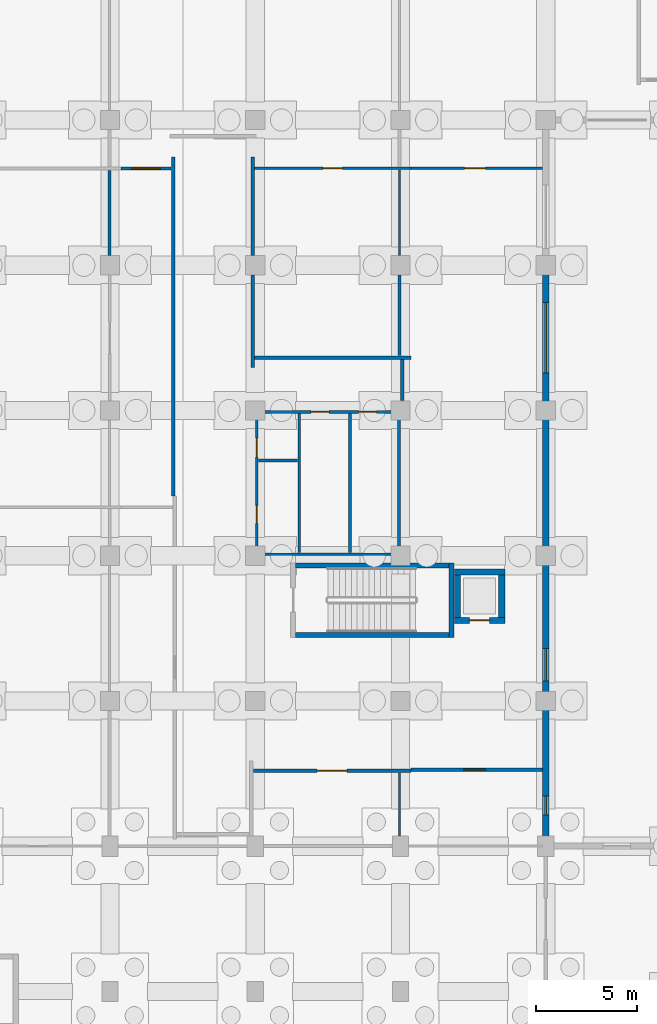
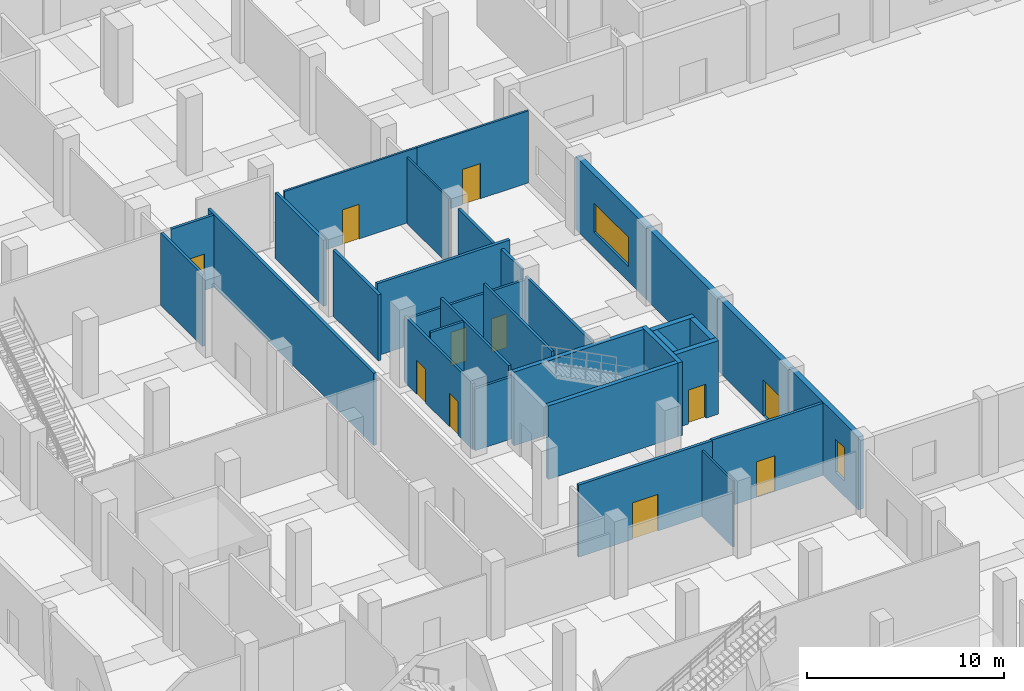
# One storey, part 21 of 48: 32 walls, 11 doors, 2 windows, 13 openings.
"""IFC4 building model written with IfcOpenShell, lengths in metres."""

import ifcopenshell
import ifcopenshell.guid

model = None  # the IFC model being written
_history = None  # IfcOwnerHistory: only IFC2X3 demands one
_inside = {}  # id of a spatial element -> (the spatial element, [elements in it])
_under = {}  # id of a project, library or spatial element -> (it, [spatial elements below it])
_declared = {}  # id of a project -> (the project, [libraries it declares])
_typed = {}  # id of a type object -> (the type object, [elements of that type])
_made_of = {}  # id of a material, layer set ... -> (it, [elements and type objects made of it])


def new_model(schema):
    """Start an empty IFC model of exactly this schema.

    Asked for "IFC4X3", IfcOpenShell would pick the latest addendum, in which some entities
    have other attributes; the version numbers below select the first issue.
    IFC2X3 requires an IfcOwnerHistory on every rooted entity: one is made here for all.
    """
    global model, _history
    if schema == "IFC4X3":
        model = ifcopenshell.file(schema_version=(4, 3, 0, 0))
    else:
        model = ifcopenshell.file(schema=schema)
    _inside.clear()
    _under.clear()
    _declared.clear()
    _typed.clear()
    _made_of.clear()
    _history = None
    if model.schema == "IFC2X3":
        org = make("IfcOrganization", Name="unknown")
        user = make(
            "IfcPersonAndOrganization",
            ThePerson=make("IfcPerson", FamilyName="unknown"),
            TheOrganization=org,
        )
        app = make(
            "IfcApplication",
            ApplicationDeveloper=org,
            Version="unknown",
            ApplicationFullName="unknown",
            ApplicationIdentifier="unknown",
        )
        _history = make(
            "IfcOwnerHistory",
            OwningUser=user,
            OwningApplication=app,
            ChangeAction="ADDED",
            CreationDate=0,
        )
    return model


def make(cls, **values):
    """One entity of the class cls with the attributes given. An attribute that is None is left unset."""
    return model.create_entity(
        cls, **{name: value for name, value in values.items() if value is not None}
    )


def rooted(cls, **values):
    """An entity with a GlobalId (a new one), such as an element, a storey or a relation."""
    return make(cls, GlobalId=ifcopenshell.guid.new(), OwnerHistory=_history, **values)


def si_unit(unit_type, name, prefix=None):
    """IfcSIUnit, for example si_unit("LENGTHUNIT", "METRE", prefix="MILLI")."""
    return make("IfcSIUnit", UnitType=unit_type, Prefix=prefix, Name=name)


def assignment(units):
    """IfcUnitAssignment: the units of a project."""
    return None if units is None else make("IfcUnitAssignment", Units=units)


def point(xyz):
    """IfcCartesianPoint."""
    return None if xyz is None else make("IfcCartesianPoint", Coordinates=xyz)


def direction(xyz):
    """IfcDirection."""
    return None if xyz is None else make("IfcDirection", DirectionRatios=xyz)


def frame(location, z_axis=None, x_axis=None):
    """IfcAxis2Placement3D, a coordinate frame: its origin and axes. An axis left out is left unset."""
    return make(
        "IfcAxis2Placement3D",
        Location=point(location),
        Axis=direction(z_axis),
        RefDirection=direction(x_axis),
    )


def frame_2d(location, x_axis=None):
    """IfcAxis2Placement2D, a coordinate frame in the plane: its origin and x axis."""
    return make(
        "IfcAxis2Placement2D", Location=point(location), RefDirection=direction(x_axis)
    )


def origin():
    """The frame at (0, 0, 0) with its axes left unset."""
    return frame((0.0, 0.0, 0.0))


def place(relative_to, where):
    """IfcLocalPlacement: puts the frame where relative to a parent placement (None: the world)."""
    return make(
        "IfcLocalPlacement", PlacementRelTo=relative_to, RelativePlacement=where
    )


def context(
    kind, dimensions, precision=None, world=None, true_north=None, identifier=None
):
    """IfcGeometricRepresentationContext, for example the 3D "Model" context."""
    return make(
        "IfcGeometricRepresentationContext",
        ContextIdentifier=identifier,
        ContextType=kind,
        CoordinateSpaceDimension=dimensions,
        Precision=precision,
        WorldCoordinateSystem=world,
        TrueNorth=true_north,
    )


def subcontext(parent, identifier, kind, view, scale=None):
    """IfcGeometricRepresentationSubContext, for example "Body" below "Model"."""
    return make(
        "IfcGeometricRepresentationSubContext",
        ContextIdentifier=identifier,
        ContextType=kind,
        ParentContext=parent,
        TargetScale=scale,
        TargetView=view,
    )


def project(units=None, contexts=None):
    """IfcProject with its units and contexts."""
    return rooted(
        "IfcProject",
        Name="project",
        RepresentationContexts=contexts,
        UnitsInContext=assignment(units),
    )


def spatial(cls, under=None, at=None, **own):
    """A site, building, storey or space (cls), placed at a placement, below another one or the project."""
    s = rooted(cls, ObjectPlacement=at, **own)
    if under is not None:
        _under.setdefault(under.id(), (under, []))[1].append(s)
    return s


def profile(cls, at=None, kind="AREA", **sizes):
    """A parametric profile (cls). Its sizes go by their IFC names, for example OverallWidth=200.0."""
    return make(cls, ProfileType=kind, Position=at, **sizes)


def rectangle(**sizes):
    """IfcRectangleProfileDef."""
    return profile("IfcRectangleProfileDef", **sizes)


def extrude(swept, where, along, depth):
    """IfcExtrudedAreaSolid: the profile swept, set in the frame where, extruded along a direction by depth."""
    return make(
        "IfcExtrudedAreaSolid",
        SweptArea=swept,
        Position=where,
        ExtrudedDirection=direction(along),
        Depth=depth,
    )


def shape(context_of_items, identifier, shape_type, items):
    """IfcShapeRepresentation: the items that make up one representation, for example the "Body"."""
    return make(
        "IfcShapeRepresentation",
        ContextOfItems=context_of_items,
        RepresentationIdentifier=identifier,
        RepresentationType=shape_type,
        Items=items,
    )


def material(Name=None, Category=None):
    """IfcMaterial."""
    return make("IfcMaterial", Name=Name, Category=Category)


def layer(
    of_material, thickness, ventilated=None, Name=None, Category=None, Priority=None
):
    """IfcMaterialLayer: one layer of a wall or slab, of a material (None: an air gap)."""
    return make(
        "IfcMaterialLayer",
        Material=of_material,
        LayerThickness=thickness,
        IsVentilated=ventilated,
        Name=Name,
        Category=Category,
        Priority=Priority,
    )


def layer_set(layers, Name=None):
    """IfcMaterialLayerSet."""
    return make("IfcMaterialLayerSet", MaterialLayers=layers, LayerSetName=Name)


def made_of(thing, what):
    """Note that an element or type object is made of a material, layer set ...; save() writes the relation."""
    if what is not None:
        _made_of.setdefault(what.id(), (what, []))[1].append(thing)
    return thing


def type_object(cls, material=None, **own):
    """A type object (cls), such as IfcWallType, which elements share."""
    return made_of(rooted(cls, **own), material)


def element(
    cls,
    number,
    at=None,
    inside=None,
    cuts=None,
    type_object=None,
    material=None,
    context=None,
    identifier="Body",
    shape_type=None,
    held_by="IfcProductDefinitionShape",
    body=None,
    shapes=None,
    **own,
):
    """One element of the class cls, such as IfcWall. Its Tag is "e" and its number.

    at: its placement. inside: the storey or other place that contains it. cuts: it is an
    opening in that element (IfcRelVoidsElement). A single representation is given by context,
    identifier, shape_type and body (its items); several are given by shapes. held_by: the class
    of the entity that holds the representations. save() writes the other relations.
    """
    e = rooted(cls, Tag="e%d" % number, ObjectPlacement=at, **own)
    if body is not None:
        shapes = [shape(context, identifier, shape_type, body)]
    if shapes is not None:
        e.Representation = make(held_by, Representations=shapes)
    if inside is not None:
        _inside.setdefault(inside.id(), (inside, []))[1].append(e)
    if cuts is not None:
        rooted(
            "IfcRelVoidsElement", RelatingBuildingElement=cuts, RelatedOpeningElement=e
        )
    if type_object is not None:
        _typed.setdefault(type_object.id(), (type_object, []))[1].append(e)
    return made_of(e, material)


def fill(opening, filler):
    """IfcRelFillsElement: the door or window that sits in an opening."""
    return rooted(
        "IfcRelFillsElement",
        RelatingOpeningElement=opening,
        RelatedBuildingElement=filler,
    )


def aggregate(whole, parts):
    """IfcRelAggregates: a whole, such as a stair, and the parts it consists of."""
    return rooted("IfcRelAggregates", RelatingObject=whole, RelatedObjects=parts)


def save(model, path):
    """Write the relations noted so far, then the file.

    IfcRelAggregates (storeys below a building ...), IfcRelContainedInSpatialStructure (elements
    in a storey), IfcRelDefinesByType, IfcRelAssociatesMaterial and IfcRelDeclares: one each for
    every whole, place, type object, material and project.
    """
    for whole, parts in _under.values():
        aggregate(whole, parts)
    for where, things in _inside.values():
        rooted(
            "IfcRelContainedInSpatialStructure",
            RelatedElements=things,
            RelatingStructure=where,
        )
    for kind, things in _typed.values():
        rooted("IfcRelDefinesByType", RelatedObjects=things, RelatingType=kind)
    for what, things in _made_of.values():
        rooted("IfcRelAssociatesMaterial", RelatedObjects=things, RelatingMaterial=what)
    for by, libraries in _declared.values():
        rooted("IfcRelDeclares", RelatingContext=by, RelatedDefinitions=libraries)
    model.write(path)


model = new_model("IFC4")

# Units and contexts
model_context = context("Model", 3, precision=1e-05, world=origin(), true_north=direction((0.0, 1.0)))
body_context = subcontext(model_context, "Body", "Model", "MODEL_VIEW")
ifc_project = project(units=[si_unit("LENGTHUNIT", "METRE"), si_unit("AREAUNIT", "SQUARE_METRE"), si_unit("VOLUMEUNIT", "CUBIC_METRE"), si_unit("PLANEANGLEUNIT", "RADIAN"), si_unit("MASSUNIT", "GRAM", prefix="KILO")], contexts=[model_context])

# Site, building, storey
site_placement = place(None, origin())
site = spatial("IfcSite", under=ifc_project, at=site_placement, CompositionType="ELEMENT")
building_placement = place(site_placement, origin())
building = spatial("IfcBuilding", under=site, at=building_placement, Name="Seraya Terrace Polytechnic", CompositionType="ELEMENT")
storey_placement = place(building_placement, origin())
storey = spatial("IfcBuildingStorey", under=building, at=storey_placement, Name="L00", CompositionType="ELEMENT", Elevation=0.0)

# Wall, opening, window
ifc_material_1 = material(Name="Concrete C40/50", Category="concrete")
ifc_layer_1 = layer(ifc_material_1, 0.300048828125, Name="EW-01")
ifc_layer_set_1 = layer_set([ifc_layer_1], Name="Concrete C40/50")
wall_type_1 = type_object("IfcWallType", Name="EW-01", PredefinedType="SOLIDWALL", material=ifc_layer_set_1)
wall_1_placement = place(storey_placement, frame((43.199951171875, 57.60009765625, 0.0), z_axis=(0.0, 0.0, 1.0), x_axis=(0.0, -1.0, 0.0)))
wall_1 = element("IfcWall", 1, at=wall_1_placement, inside=storey, type_object=wall_type_1, Name="Exterior structural wall EW-01 L00", PredefinedType="SOLIDWALL", context=body_context, shape_type="SweptSolid", body=[
    extrude(rectangle(XDim=7.2001953125, YDim=0.300048828125, at=frame_2d((3.60009765625, 0.0))), origin(), (0.0, 0.0, 1.0), 4.52001953125),
])
opening_1_placement = place(wall_1_placement, frame((1.85009765625, 0.0, 0.949951171875)))
opening_1 = element("IfcOpeningElement", 2, at=opening_1_placement, cuts=wall_1, Name="Opening WN-35", PredefinedType="OPENING", context=body_context, shape_type="SweptSolid", body=[
    extrude(rectangle(XDim=3.5, YDim=1.800048828125, at=frame_2d((1.75, 0.89990234375))), frame((0.0, 0.162109375, 0.0), z_axis=(0.0, -1.0, 0.0), x_axis=(1.0, 0.0, 0.0)), (0.0, 0.0, 1.0), 0.323974609375),
])
ifc_material_2 = material(Name="Laminated solar-control Low-E double glazing", Category="glass")
window_type_1 = type_object("IfcWindowType", Name="WN-35", PartitioningType="SINGLE_PANEL", PredefinedType="WINDOW", material=ifc_material_2)
window_1_placement = place(opening_1_placement, origin())
window_1 = element("IfcWindow", 3, at=window_1_placement, inside=storey, type_object=window_type_1, Name="Exterior window WN-35 L00", OverallHeight=1.800048828125, OverallWidth=3.5, PartitioningType="SINGLE_PANEL", PredefinedType="WINDOW", context=body_context, shape_type="SweptSolid", body=[
    extrude(rectangle(XDim=3.5, YDim=1.800048828125, at=frame_2d((1.75, 0.89990234375))), frame((0.0, 0.030029296875, 0.0), z_axis=(0.0, -1.0, 0.0), x_axis=(1.0, 0.0, 0.0)), (0.0, 0.0, 1.0), 0.06005859375),
])
fill(opening_1, window_1)

# Wall
wall_2_placement = place(storey_placement, frame((43.199951171875, 50.39990234375, 0.0), z_axis=(0.0, 0.0, 1.0), x_axis=(0.0, -1.0, 0.0)))
element("IfcWall", 4, at=wall_2_placement, inside=storey, type_object=wall_type_1, Name="Exterior structural wall EW-01 L00", PredefinedType="SOLIDWALL", context=body_context, shape_type="SweptSolid", body=[
    extrude(rectangle(XDim=7.199951171875, YDim=0.300048828125, at=frame_2d((3.60009765625, 0.0))), origin(), (0.0, 0.0, 1.0), 4.52001953125),
])

# Wall, opening, door
wall_3_placement = place(storey_placement, frame((43.199951171875, 43.199951171875, 0.0), z_axis=(0.0, 0.0, 1.0), x_axis=(0.0, -1.0, 0.0)))
wall_3 = element("IfcWall", 5, at=wall_3_placement, inside=storey, type_object=wall_type_1, Name="Exterior structural wall EW-01 L00", PredefinedType="SOLIDWALL", context=body_context, shape_type="SweptSolid", body=[
    extrude(rectangle(XDim=7.199951171875, YDim=0.300048828125, at=frame_2d((3.60009765625, 0.0))), origin(), (0.0, 0.0, 1.0), 4.52001953125),
])
opening_2_placement = place(wall_3_placement, frame((4.60009765625, 0.0, 0.0)))
opening_2 = element("IfcOpeningElement", 6, at=opening_2_placement, cuts=wall_3, Name="Opening ED-03", PredefinedType="OPENING", context=body_context, shape_type="SweptSolid", body=[
    extrude(rectangle(XDim=1.60009765625, YDim=2.199951171875, at=frame_2d((0.800048828125, 1.10009765625))), frame((0.0, 0.162109375, 0.0), z_axis=(0.0, -1.0, 0.0), x_axis=(1.0, 0.0, 0.0)), (0.0, 0.0, 1.0), 0.323974609375),
])
ifc_material_3 = material(Name="Anodised aluminium EN AW-6063 T6", Category="aluminium")
door_type_1 = type_object("IfcDoorType", Name="ED-03", OperationType="DOUBLE_DOOR_SINGLE_SWING", PredefinedType="DOOR", material=ifc_material_3)
door_1_placement = place(opening_2_placement, origin())
door_1 = element("IfcDoor", 7, at=door_1_placement, inside=storey, type_object=door_type_1, Name="Door ED-03 DR-STEXIT-ST-04 in WL-EXT-L00-10-03", OperationType="DOUBLE_DOOR_SINGLE_SWING", OverallHeight=2.199951171875, OverallWidth=1.60009765625, PredefinedType="DOOR", context=body_context, shape_type="SweptSolid", body=[
    extrude(rectangle(XDim=1.60009765625, YDim=2.199951171875, at=frame_2d((0.800048828125, 1.10009765625))), frame((0.0, 0.02490234375, 0.0), z_axis=(0.0, -1.0, 0.0), x_axis=(1.0, 0.0, 0.0)), (0.0, 0.0, 1.0), 0.050048828125),
])
fill(opening_2, door_1)

# Wall, opening, window
wall_4_placement = place(storey_placement, frame((43.199951171875, 36.0, 0.0), z_axis=(0.0, 0.0, 1.0), x_axis=(0.0, -1.0, 0.0)))
wall_4 = element("IfcWall", 8, at=wall_4_placement, inside=storey, type_object=wall_type_1, Name="Exterior structural wall EW-01 L00", PredefinedType="SOLIDWALL", context=body_context, shape_type="SweptSolid", body=[
    extrude(rectangle(XDim=7.033935546875, YDim=0.300048828125, at=frame_2d((3.51708984375, 0.0))), origin(), (0.0, 0.0, 1.0), 4.52001953125),
])
opening_3_placement = place(wall_4_placement, frame((4.701904296875, 0.0, 0.949951171875)))
opening_3 = element("IfcOpeningElement", 9, at=opening_3_placement, cuts=wall_4, Name="Opening WN-37", PredefinedType="OPENING", context=body_context, shape_type="SweptSolid", body=[
    extrude(rectangle(XDim=0.949951171875, YDim=2.050048828125, at=frame_2d((0.47509765625, 1.02490234375))), frame((0.0, 0.162109375, 0.0), z_axis=(0.0, -1.0, 0.0), x_axis=(1.0, 0.0, 0.0)), (0.0, 0.0, 1.0), 0.323974609375),
])
window_type_2 = type_object("IfcWindowType", Name="WN-37", PartitioningType="SINGLE_PANEL", PredefinedType="WINDOW", material=ifc_material_2)
window_2_placement = place(opening_3_placement, origin())
window_2 = element("IfcWindow", 10, at=window_2_placement, inside=storey, type_object=window_type_2, Name="Exterior window WN-37 L00", OverallHeight=2.050048828125, OverallWidth=0.949951171875, PartitioningType="SINGLE_PANEL", PredefinedType="WINDOW", context=body_context, shape_type="SweptSolid", body=[
    extrude(rectangle(XDim=0.949951171875, YDim=2.050048828125, at=frame_2d((0.47509765625, 1.02490234375))), frame((0.0, 0.030029296875, 0.0), z_axis=(0.0, -1.0, 0.0), x_axis=(1.0, 0.0, 0.0)), (0.0, 0.0, 1.0), 0.06005859375),
])
fill(opening_3, window_2)

# Walls
ifc_material_4 = material(Name="Autoclaved aerated concrete blockwork", Category="masonry")
ifc_layer_2 = layer(ifc_material_4, 0.169921875, Name="PT-02")
ifc_layer_set_2 = layer_set([ifc_layer_2], Name="Autoclaved aerated concrete blockwork")
wall_type_2 = type_object("IfcWallType", Name="PT-02", PredefinedType="PARTITIONING", material=ifc_layer_set_2)
wall_5_placement = place(storey_placement, frame((24.72998046875, 46.17138671875, 0.0), z_axis=(0.0, 0.0, 1.0), x_axis=(0.0, 1.0, 0.0)))
element("IfcWall", 11, at=wall_5_placement, inside=storey, type_object=wall_type_2, Name="Internal partition PT-02 L00", PredefinedType="PARTITIONING", context=body_context, shape_type="SweptSolid", body=[
    extrude(rectangle(XDim=16.78857421875, YDim=0.169921875, at=frame_2d((8.394287109375, 0.0))), origin(), (0.0, 0.0, 1.0), 4.4599609375),
])
wall_6_placement = place(storey_placement, frame((28.669921875, 58.0849609375, 0.0), z_axis=(0.0, 0.0, 1.0), x_axis=(0.0, 1.0, 0.0)))
element("IfcWall", 12, at=wall_6_placement, inside=storey, type_object=wall_type_2, Name="Internal partition PT-02 L00", PredefinedType="PARTITIONING", context=body_context, shape_type="SweptSolid", body=[
    extrude(rectangle(XDim=4.875, YDim=0.169921875, at=frame_2d((2.4375, 0.0))), origin(), (0.0, 0.0, 1.0), 4.080078125),
])
wall_7_placement = place(storey_placement, frame((28.669921875, 52.530029296875, 0.0), z_axis=(0.0, 0.0, 1.0), x_axis=(0.0, 1.0, 0.0)))
element("IfcWall", 13, at=wall_7_placement, inside=storey, type_object=wall_type_2, Name="Internal partition PT-02 L00", PredefinedType="PARTITIONING", context=body_context, shape_type="SweptSolid", body=[
    extrude(rectangle(XDim=4.5849609375, YDim=0.169921875, at=frame_2d((2.29248046875, 0.0))), origin(), (0.0, 0.0, 1.0), 4.080078125),
])

# Wall, opening, door
wall_8_placement = place(storey_placement, frame((28.699951171875, 32.530029296875, 0.0), z_axis=(0.0, 0.0, 1.0), x_axis=(1.0, 0.0, 0.0)))
wall_8 = element("IfcWall", 14, at=wall_8_placement, inside=storey, type_object=wall_type_2, Name="Internal partition PT-02 L00", PredefinedType="PARTITIONING", context=body_context, shape_type="SweptSolid", body=[
    extrude(rectangle(XDim=7.820068359375, YDim=0.169921875, at=frame_2d((3.91015625, 0.0))), origin(), (0.0, 0.0, 1.0), 4.4599609375),
])
opening_4_placement = place(wall_8_placement, frame((3.169921875, 0.0, 0.0)))
opening_4 = element("IfcOpeningElement", 15, at=opening_4_placement, cuts=wall_8, Name="Opening ID-11", PredefinedType="OPENING", context=body_context, shape_type="SweptSolid", body=[
    extrude(rectangle(XDim=1.47998046875, YDim=2.260009765625, at=frame_2d((0.739990234375, 1.1298828125))), frame((0.0, 0.096923828125, 0.0), z_axis=(0.0, -1.0, 0.0), x_axis=(1.0, 0.0, 0.0)), (0.0, 0.0, 1.0), 0.19384765625),
])
ifc_material_5 = material(Name="Malaysian dark red meranti hardwood timber D40", Category="wood")
door_type_2 = type_object("IfcDoorType", Name="ID-11", OperationType="DOUBLE_DOOR_SINGLE_SWING", PredefinedType="DOOR", material=ifc_material_5)
door_2_placement = place(opening_4_placement, origin())
door_2 = element("IfcDoor", 16, at=door_2_placement, inside=storey, type_object=door_type_2, Name="Door ID-11 DR-INT-L00-0024 in WL-INT-L00-0089", OperationType="DOUBLE_DOOR_SINGLE_SWING", OverallHeight=2.260009765625, OverallWidth=1.47998046875, PredefinedType="DOOR", context=body_context, shape_type="SweptSolid", body=[
    extrude(rectangle(XDim=1.47998046875, YDim=2.260009765625, at=frame_2d((0.739990234375, 1.1298828125))), frame((0.0, 0.02490234375, 0.0), z_axis=(0.0, -1.0, 0.0), x_axis=(1.0, 0.0, 0.0)), (0.0, 0.0, 1.0), 0.050048828125),
])
fill(opening_4, door_2)

wall_9_placement = place(storey_placement, frame((36.52001953125, 32.60009765625, 0.0), z_axis=(0.0, 0.0, 1.0), x_axis=(1.0, 0.0, 0.0)))
wall_9 = element("IfcWall", 17, at=wall_9_placement, inside=storey, type_object=wall_type_2, Name="Internal partition PT-02 L00", PredefinedType="PARTITIONING", context=body_context, shape_type="SweptSolid", body=[
    extrude(rectangle(XDim=6.51806640625, YDim=0.169921875, at=frame_2d((3.259033203125, 0.0))), origin(), (0.0, 0.0, 1.0), 4.4599609375),
])
opening_5_placement = place(wall_9_placement, frame((2.6201171875, 0.0, 0.0)))
opening_5 = element("IfcOpeningElement", 18, at=opening_5_placement, cuts=wall_9, Name="Opening ID-05", PredefinedType="OPENING", context=body_context, shape_type="SweptSolid", body=[
    extrude(rectangle(XDim=1.080078125, YDim=2.199951171875, at=frame_2d((0.5400390625, 1.10009765625))), frame((0.0, 0.096923828125, 0.0), z_axis=(0.0, -1.0, 0.0), x_axis=(1.0, 0.0, 0.0)), (0.0, 0.0, 1.0), 0.19384765625),
])
door_type_3 = type_object("IfcDoorType", Name="ID-05", OperationType="NOTDEFINED", PredefinedType="DOOR", material=ifc_material_5)
door_3_placement = place(opening_5_placement, origin())
door_3 = element("IfcDoor", 19, at=door_3_placement, inside=storey, type_object=door_type_3, Name="Door ID-05 DR-INT-L00-0034 in WL-INT-L00-0090", OperationType="SINGLE_SWING_LEFT", OverallHeight=2.199951171875, OverallWidth=1.080078125, PredefinedType="DOOR", context=body_context, shape_type="SweptSolid", body=[
    extrude(rectangle(XDim=1.080078125, YDim=2.199951171875, at=frame_2d((0.5400390625, 1.10009765625))), frame((0.0, 0.02490234375, 0.0), z_axis=(0.0, -1.0, 0.0), x_axis=(1.0, 0.0, 0.0)), (0.0, 0.0, 1.0), 0.050048828125),
])
fill(opening_5, door_3)

# Walls
wall_10_placement = place(storey_placement, frame((28.77001953125, 53.02001953125, 0.0), z_axis=(0.0, 0.0, 1.0), x_axis=(1.0, 0.0, 0.0)))
element("IfcWall", 20, at=wall_10_placement, inside=storey, type_object=wall_type_2, Name="Internal partition PT-02 L00", PredefinedType="PARTITIONING", context=body_context, shape_type="SweptSolid", body=[
    extrude(rectangle(XDim=7.75, YDim=0.169921875, at=frame_2d((3.875, 0.0))), origin(), (0.0, 0.0, 1.0), 4.4599609375),
])
wall_11_placement = place(storey_placement, frame((36.080078125, 50.885009765625, 0.0), z_axis=(0.0, 0.0, 1.0), x_axis=(0.0, 1.0, 0.0)))
element("IfcWall", 21, at=wall_11_placement, inside=storey, type_object=wall_type_2, Name="Internal partition PT-02 L00", PredefinedType="PARTITIONING", context=body_context, shape_type="SweptSolid", body=[
    extrude(rectangle(XDim=2.034912109375, YDim=0.169921875, at=frame_2d((1.017578125, 0.0))), origin(), (0.0, 0.0, 1.0), 4.080078125),
])
ifc_layer_3 = layer(ifc_material_4, 0.14990234375, Name="PT-03")
ifc_layer_set_3 = layer_set([ifc_layer_3], Name="Autoclaved aerated concrete blockwork")
wall_type_3 = type_object("IfcWallType", Name="PT-03", PredefinedType="PARTITIONING", material=ifc_layer_set_3)
wall_12_placement = place(storey_placement, frame((21.580078125, 58.0849609375, 0.0), z_axis=(0.0, 0.0, 1.0), x_axis=(0.0, 1.0, 0.0)))
element("IfcWall", 22, at=wall_12_placement, inside=storey, type_object=wall_type_3, Name="Internal partition PT-03 L00", PredefinedType="PARTITIONING", context=body_context, shape_type="SweptSolid", body=[
    extrude(rectangle(XDim=4.22509765625, YDim=0.14990234375, at=frame_2d((2.112548828125, 0.0))), origin(), (0.0, 0.0, 1.0), 4.4599609375),
])

# Wall, opening, door
wall_13_placement = place(storey_placement, frame((22.139892578125, 62.39990234375, 0.0), z_axis=(0.0, 0.0, 1.0), x_axis=(1.0, 0.0, 0.0)))
wall_13 = element("IfcWall", 23, at=wall_13_placement, inside=storey, type_object=wall_type_3, Name="Internal partition PT-03 L00", PredefinedType="PARTITIONING", context=body_context, shape_type="SweptSolid", body=[
    extrude(rectangle(XDim=2.489990234375, YDim=0.14990234375, at=frame_2d((1.2451171875, 0.0))), origin(), (0.0, 0.0, 1.0), 4.4599609375),
])
opening_6_placement = place(wall_13_placement, frame((0.534912109375, 0.0, 0.0)))
opening_6 = element("IfcOpeningElement", 24, at=opening_6_placement, cuts=wall_13, Name="Opening ID-10", PredefinedType="OPENING", context=body_context, shape_type="SweptSolid", body=[
    extrude(rectangle(XDim=1.419921875, YDim=2.239990234375, at=frame_2d((0.7099609375, 1.1201171875))), frame((0.0, 0.0869140625, 0.0), z_axis=(0.0, -1.0, 0.0), x_axis=(1.0, 0.0, 0.0)), (0.0, 0.0, 1.0), 0.173828125),
])
door_type_4 = type_object("IfcDoorType", Name="ID-10", OperationType="DOUBLE_DOOR_SINGLE_SWING", PredefinedType="DOOR", material=ifc_material_5)
door_4_placement = place(opening_6_placement, frame((1.419921875, 0.0, 0.0), z_axis=(0.0, 0.0, 1.0), x_axis=(-1.0, 0.0, 0.0)))
door_4 = element("IfcDoor", 25, at=door_4_placement, inside=storey, type_object=door_type_4, Name="Door ID-10 DR-INT-L00-0055 in WL-INT-L00-0196", OperationType="DOUBLE_DOOR_SINGLE_SWING", OverallHeight=2.239990234375, OverallWidth=1.419921875, PredefinedType="DOOR", context=body_context, shape_type="SweptSolid", body=[
    extrude(rectangle(XDim=1.419921875, YDim=2.239990234375, at=frame_2d((0.7099609375, 1.1201171875))), frame((0.0, 0.02490234375, 0.0), z_axis=(0.0, -1.0, 0.0), x_axis=(1.0, 0.0, 0.0)), (0.0, 0.0, 1.0), 0.050048828125),
])
fill(opening_6, door_4)

# Walls
wall_14_placement = place(storey_placement, frame((35.9599609375, 53.1201171875, 0.0), z_axis=(0.0, 0.0, 1.0), x_axis=(0.0, 1.0, 0.0)))
element("IfcWall", 26, at=wall_14_placement, inside=storey, type_object=wall_type_3, Name="Internal partition PT-03 L00", PredefinedType="PARTITIONING", context=body_context, shape_type="SweptSolid", body=[
    extrude(rectangle(XDim=3.994873046875, YDim=0.14990234375, at=frame_2d((1.99755859375, 0.0))), origin(), (0.0, 0.0, 1.0), 4.080078125),
])
ifc_layer_4 = layer(ifc_material_4, 0.139892578125, Name="PT-04")
ifc_layer_set_4 = layer_set([ifc_layer_4], Name="Autoclaved aerated concrete blockwork")
wall_type_4 = type_object("IfcWallType", Name="PT-04", PredefinedType="PARTITIONING", material=ifc_layer_set_4)
wall_15_placement = place(storey_placement, frame((28.8701171875, 43.27001953125, 0.0), z_axis=(0.0, 0.0, 1.0), x_axis=(1.0, 0.0, 0.0)))
element("IfcWall", 27, at=wall_15_placement, inside=storey, type_object=wall_type_4, Name="Sanitary WC-B South wall L00", PredefinedType="PARTITIONING", context=body_context, shape_type="SweptSolid", body=[
    extrude(rectangle(XDim=7.059814453125, YDim=0.139892578125, at=frame_2d((3.52978515625, 0.0))), origin(), (0.0, 0.0, 1.0), 3.830078125),
])

# Wall, openings, doors
wall_16_placement = place(storey_placement, frame((28.8701171875, 50.330078125, 0.0), z_axis=(0.0, 0.0, 1.0), x_axis=(1.0, 0.0, 0.0)))
wall_16 = element("IfcWall", 28, at=wall_16_placement, inside=storey, type_object=wall_type_4, Name="Sanitary WC-B North wall L00", PredefinedType="PARTITIONING", context=body_context, shape_type="SweptSolid", body=[
    extrude(rectangle(XDim=7.059814453125, YDim=0.139892578125, at=frame_2d((3.52978515625, 0.0))), origin(), (0.0, 0.0, 1.0), 3.830078125),
])
opening_7_placement = place(wall_16_placement, frame((2.679931640625, 0.0, 0.0)))
opening_7 = element("IfcOpeningElement", 29, at=opening_7_placement, cuts=wall_16, Name="Opening ID-02", PredefinedType="OPENING", context=body_context, shape_type="SweptSolid", body=[
    extrude(rectangle(XDim=0.89990234375, YDim=2.080078125, at=frame_2d((0.449951171875, 1.0400390625))), frame((0.0, 0.08203125, 0.0), z_axis=(0.0, -1.0, 0.0), x_axis=(1.0, 0.0, 0.0)), (0.0, 0.0, 1.0), 0.163818359375),
])
opening_8_placement = place(wall_16_placement, frame((5.050048828125, 0.0, 0.0)))
opening_8 = element("IfcOpeningElement", 30, at=opening_8_placement, cuts=wall_16, Name="Opening ID-02", PredefinedType="OPENING", context=body_context, shape_type="SweptSolid", body=[
    extrude(rectangle(XDim=0.89990234375, YDim=2.080078125, at=frame_2d((0.449951171875, 1.0400390625))), frame((0.0, 0.08203125, 0.0), z_axis=(0.0, -1.0, 0.0), x_axis=(1.0, 0.0, 0.0)), (0.0, 0.0, 1.0), 0.163818359375),
])
door_type_5 = type_object("IfcDoorType", Name="ID-02", OperationType="NOTDEFINED", PredefinedType="DOOR", material=ifc_material_5)
door_5_placement = place(opening_7_placement, frame((0.89990234375, 0.0, 0.0), z_axis=(0.0, 0.0, 1.0), x_axis=(-1.0, 0.0, 0.0)))
door_5 = element("IfcDoor", 31, at=door_5_placement, inside=storey, type_object=door_type_5, Name="Door ID-02 DR-WC-WC-B-L00-M in WL-WC-WC-B-L00-N", OperationType="SINGLE_SWING_LEFT", OverallHeight=2.080078125, OverallWidth=0.89990234375, PredefinedType="DOOR", context=body_context, shape_type="SweptSolid", body=[
    extrude(rectangle(XDim=0.89990234375, YDim=2.080078125, at=frame_2d((0.449951171875, 1.0400390625))), frame((0.0, 0.02490234375, 0.0), z_axis=(0.0, -1.0, 0.0), x_axis=(1.0, 0.0, 0.0)), (0.0, 0.0, 1.0), 0.050048828125),
])
fill(opening_7, door_5)
door_6_placement = place(opening_8_placement, frame((0.89990234375, 0.0, 0.0), z_axis=(0.0, 0.0, 1.0), x_axis=(-1.0, 0.0, 0.0)))
door_6 = element("IfcDoor", 32, at=door_6_placement, inside=storey, type_object=door_type_5, Name="Door ID-02 DR-WC-WC-B-L00-F in WL-WC-WC-B-L00-N", OperationType="SINGLE_SWING_RIGHT", OverallHeight=2.080078125, OverallWidth=0.89990234375, PredefinedType="DOOR", context=body_context, shape_type="SweptSolid", body=[
    extrude(rectangle(XDim=0.89990234375, YDim=2.080078125, at=frame_2d((0.449951171875, 1.0400390625))), frame((0.0, 0.02490234375, 0.0), z_axis=(0.0, -1.0, 0.0), x_axis=(1.0, 0.0, 0.0)), (0.0, 0.0, 1.0), 0.050048828125),
])
fill(opening_8, door_6)

wall_17_placement = place(storey_placement, frame((28.8701171875, 43.35009765625, 0.0), z_axis=(0.0, 0.0, 1.0), x_axis=(0.0, 1.0, 0.0)))
wall_17 = element("IfcWall", 33, at=wall_17_placement, inside=storey, type_object=wall_type_4, Name="Sanitary WC-B West wall L00", PredefinedType="PARTITIONING", context=body_context, shape_type="SweptSolid", body=[
    extrude(rectangle(XDim=6.89990234375, YDim=0.139892578125, at=frame_2d((3.449951171875, 0.0))), origin(), (0.0, 0.0, 1.0), 4.080078125),
])
opening_9_placement = place(wall_17_placement, frame((1.449951171875, 0.0, 0.0)))
opening_9 = element("IfcOpeningElement", 34, at=opening_9_placement, cuts=wall_17, Name="Opening ID-02", PredefinedType="OPENING", context=body_context, shape_type="SweptSolid", body=[
    extrude(rectangle(XDim=0.89990234375, YDim=2.080078125, at=frame_2d((0.449951171875, 1.0400390625))), frame((0.0, 0.08203125, 0.0), z_axis=(0.0, -1.0, 0.0), x_axis=(1.0, 0.0, 0.0)), (0.0, 0.0, 1.0), 0.163818359375),
])
opening_10_placement = place(wall_17_placement, frame((4.75, 0.0, 0.0)))
opening_10 = element("IfcOpeningElement", 35, at=opening_10_placement, cuts=wall_17, Name="Opening ID-01", PredefinedType="OPENING", context=body_context, shape_type="SweptSolid", body=[
    extrude(rectangle(XDim=0.93994140625, YDim=2.10009765625, at=frame_2d((0.469970703125, 1.050048828125))), frame((0.0, 0.08203125, 0.0), z_axis=(0.0, -1.0, 0.0), x_axis=(1.0, 0.0, 0.0)), (0.0, 0.0, 1.0), 0.163818359375),
])
door_type_6 = type_object("IfcDoorType", Name="ID-01", OperationType="NOTDEFINED", PredefinedType="DOOR", material=ifc_material_5)
door_7_placement = place(opening_10_placement, origin())
door_7 = element("IfcDoor", 36, at=door_7_placement, inside=storey, type_object=door_type_6, Name="Door ID-01 DR-WC-WC-B-L00-OKU in WL-WC-WC-B-L00-W", OperationType="SINGLE_SWING_LEFT", OverallHeight=2.10009765625, OverallWidth=0.93994140625, PredefinedType="DOOR", context=body_context, shape_type="SweptSolid", body=[
    extrude(rectangle(XDim=0.93994140625, YDim=2.10009765625, at=frame_2d((0.469970703125, 1.050048828125))), frame((0.0, 0.02490234375, 0.0), z_axis=(0.0, -1.0, 0.0), x_axis=(1.0, 0.0, 0.0)), (0.0, 0.0, 1.0), 0.050048828125),
])
fill(opening_10, door_7)
door_8_placement = place(opening_9_placement, frame((0.89990234375, 0.0, 0.0), z_axis=(0.0, 0.0, 1.0), x_axis=(-1.0, 0.0, 0.0)))
door_8 = element("IfcDoor", 37, at=door_8_placement, inside=storey, type_object=door_type_5, Name="Door ID-02 DR-WC-WC-B-L00-CLN in WL-WC-WC-B-L00-W", OperationType="SINGLE_SWING_RIGHT", OverallHeight=2.080078125, OverallWidth=0.89990234375, PredefinedType="DOOR", context=body_context, shape_type="SweptSolid", body=[
    extrude(rectangle(XDim=0.89990234375, YDim=2.080078125, at=frame_2d((0.449951171875, 1.0400390625))), frame((0.0, 0.02490234375, 0.0), z_axis=(0.0, -1.0, 0.0), x_axis=(1.0, 0.0, 0.0)), (0.0, 0.0, 1.0), 0.050048828125),
])
fill(opening_9, door_8)

# Walls
wall_18_placement = place(storey_placement, frame((35.929931640625, 43.35009765625, 0.0), z_axis=(0.0, 0.0, 1.0), x_axis=(0.0, 1.0, 0.0)))
element("IfcWall", 38, at=wall_18_placement, inside=storey, type_object=wall_type_4, Name="Sanitary WC-B East wall L00", PredefinedType="PARTITIONING", context=body_context, shape_type="SweptSolid", body=[
    extrude(rectangle(XDim=6.89990234375, YDim=0.139892578125, at=frame_2d((3.449951171875, 0.0))), origin(), (0.0, 0.0, 1.0), 4.080078125),
])
for number, where, z_axis, x_axis, name in (
    (39, (30.97998046875, 43.35009765625, 0.0), (0.0, 0.0, 1.0), (0.0, 1.0, 0.0), "Sanitary WC-B OKU/Male divider L00"),
    (40, (33.489990234375, 43.35009765625, 0.0), (0.0, 0.0, 1.0), (0.0, 1.0, 0.0), "Sanitary WC-B Male/Female divider L00"),
):
    element("IfcWall", number, at=place(storey_placement, frame(where, z_axis=z_axis, x_axis=x_axis)), inside=storey, type_object=wall_type_4, Name=name, PredefinedType="PARTITIONING", context=body_context, shape_type="SweptSolid", body=[
        extrude(rectangle(XDim=6.89990234375, YDim=0.139892578125, at=frame_2d((3.449951171875, 0.0))), origin(), (0.0, 0.0, 1.0), 4.4599609375),
    ])
wall_19_placement = place(storey_placement, frame((28.949951171875, 47.919921875, 0.0), z_axis=(0.0, 0.0, 1.0), x_axis=(1.0, 0.0, 0.0)))
element("IfcWall", 41, at=wall_19_placement, inside=storey, type_object=wall_type_4, Name="Sanitary WC-B OKU/Cleaner divider L00", PredefinedType="PARTITIONING", context=body_context, shape_type="SweptSolid", body=[
    extrude(rectangle(XDim=1.949951171875, YDim=0.139892578125, at=frame_2d((0.97509765625, 0.0))), origin(), (0.0, 0.0, 1.0), 4.4599609375),
])

# Wall, opening, door
ifc_layer_5 = layer(ifc_material_4, 0.1201171875, Name="PT-05")
ifc_layer_set_5 = layer_set([ifc_layer_5], Name="Autoclaved aerated concrete blockwork")
wall_type_5 = type_object("IfcWallType", Name="PT-05", PredefinedType="PARTITIONING", material=ifc_layer_set_5)
wall_20_placement = place(storey_placement, frame((28.77001953125, 62.39990234375, 0.0), z_axis=(0.0, 0.0, 1.0), x_axis=(1.0, 0.0, 0.0)))
wall_20 = element("IfcWall", 42, at=wall_20_placement, inside=storey, type_object=wall_type_5, Name="Internal partition PT-05 L00", PredefinedType="PARTITIONING", context=body_context, shape_type="SweptSolid", body=[
    extrude(rectangle(XDim=7.75, YDim=0.1201171875, at=frame_2d((3.875, 0.0))), origin(), (0.0, 0.0, 1.0), 4.4599609375),
])
opening_11_placement = place(wall_20_placement, frame((3.385009765625, 0.0, 0.0)))
opening_11 = element("IfcOpeningElement", 43, at=opening_11_placement, cuts=wall_20, Name="Opening ID-03", PredefinedType="OPENING", context=body_context, shape_type="SweptSolid", body=[
    extrude(rectangle(XDim=0.97998046875, YDim=2.139892578125, at=frame_2d((0.489990234375, 1.06982421875))), frame((0.0, 0.072021484375, 0.0), z_axis=(0.0, -1.0, 0.0), x_axis=(1.0, 0.0, 0.0)), (0.0, 0.0, 1.0), 0.14404296875),
])
door_type_7 = type_object("IfcDoorType", Name="ID-03", OperationType="NOTDEFINED", PredefinedType="DOOR", material=ifc_material_5)
door_9_placement = place(opening_11_placement, origin())
door_9 = element("IfcDoor", 44, at=door_9_placement, inside=storey, type_object=door_type_7, Name="Door ID-03 DR-INT-L00-0064 in WL-INT-L00-0197", OperationType="SINGLE_SWING_LEFT", OverallHeight=2.139892578125, OverallWidth=0.97998046875, PredefinedType="DOOR", context=body_context, shape_type="SweptSolid", body=[
    extrude(rectangle(XDim=0.97998046875, YDim=2.139892578125, at=frame_2d((0.489990234375, 1.06982421875))), frame((0.0, 0.02490234375, 0.0), z_axis=(0.0, -1.0, 0.0), x_axis=(1.0, 0.0, 0.0)), (0.0, 0.0, 1.0), 0.050048828125),
])
fill(opening_11, door_9)

wall_21_placement = place(storey_placement, frame((36.52001953125, 62.39990234375, 0.0), z_axis=(0.0, 0.0, 1.0), x_axis=(1.0, 0.0, 0.0)))
wall_21 = element("IfcWall", 45, at=wall_21_placement, inside=storey, type_object=wall_type_5, Name="Internal partition PT-05 L00", PredefinedType="PARTITIONING", context=body_context, shape_type="SweptSolid", body=[
    extrude(rectangle(XDim=6.51806640625, YDim=0.1201171875, at=frame_2d((3.259033203125, 0.0))), origin(), (0.0, 0.0, 1.0), 4.4599609375),
])
opening_12_placement = place(wall_21_placement, frame((2.655029296875, 0.0, 0.0)))
opening_12 = element("IfcOpeningElement", 46, at=opening_12_placement, cuts=wall_21, Name="Opening ID-04", PredefinedType="OPENING", context=body_context, shape_type="SweptSolid", body=[
    extrude(rectangle(XDim=1.0400390625, YDim=2.179931640625, at=frame_2d((0.52001953125, 1.08984375))), frame((0.0, 0.072021484375, 0.0), z_axis=(0.0, -1.0, 0.0), x_axis=(1.0, 0.0, 0.0)), (0.0, 0.0, 1.0), 0.14404296875),
])
door_type_8 = type_object("IfcDoorType", Name="ID-04", OperationType="NOTDEFINED", PredefinedType="DOOR", material=ifc_material_5)
door_10_placement = place(opening_12_placement, frame((1.0400390625, 0.0, 0.0), z_axis=(0.0, 0.0, 1.0), x_axis=(-1.0, 0.0, 0.0)))
door_10 = element("IfcDoor", 47, at=door_10_placement, inside=storey, type_object=door_type_8, Name="Door ID-04 DR-INT-L00-0065 in WL-INT-L00-0203", OperationType="SINGLE_SWING_RIGHT", OverallHeight=2.179931640625, OverallWidth=1.0400390625, PredefinedType="DOOR", context=body_context, shape_type="SweptSolid", body=[
    extrude(rectangle(XDim=1.0400390625, YDim=2.179931640625, at=frame_2d((0.52001953125, 1.08984375))), frame((0.0, 0.02490234375, 0.0), z_axis=(0.0, -1.0, 0.0), x_axis=(1.0, 0.0, 0.0)), (0.0, 0.0, 1.0), 0.050048828125),
])
fill(opening_12, door_10)

# Walls
ifc_layer_6 = layer(ifc_material_4, 0.10009765625, Name="PT-06")
ifc_layer_set_6 = layer_set([ifc_layer_6], Name="Autoclaved aerated concrete blockwork")
wall_type_6 = type_object("IfcWallType", Name="PT-06", PredefinedType="PARTITIONING", material=ifc_layer_set_6)
wall_22_placement = place(storey_placement, frame((35.9599609375, 29.31005859375, 0.0), z_axis=(0.0, 0.0, 1.0), x_axis=(0.0, 1.0, 0.0)))
element("IfcWall", 48, at=wall_22_placement, inside=storey, type_object=wall_type_6, Name="Internal partition PT-06 L00", PredefinedType="PARTITIONING", context=body_context, shape_type="SweptSolid", body=[
    extrude(rectangle(XDim=3.119873046875, YDim=0.10009765625, at=frame_2d((1.56005859375, 0.0))), origin(), (0.0, 0.0, 1.0), 4.080078125),
])
wall_23_placement = place(storey_placement, frame((35.9599609375, 58.0849609375, 0.0), z_axis=(0.0, 0.0, 1.0), x_axis=(0.0, 1.0, 0.0)))
element("IfcWall", 49, at=wall_23_placement, inside=storey, type_object=wall_type_6, Name="Internal partition PT-06 L00", PredefinedType="PARTITIONING", context=body_context, shape_type="SweptSolid", body=[
    extrude(rectangle(XDim=4.239990234375, YDim=0.10009765625, at=frame_2d((2.1201171875, 0.0))), origin(), (0.0, 0.0, 1.0), 4.080078125),
])

# Wall, opening, door
ifc_layer_7 = layer(ifc_material_1, 0.300048828125, Name="SW-01")
ifc_layer_set_7 = layer_set([ifc_layer_7], Name="Concrete C40/50")
wall_type_7 = type_object("IfcWallType", Name="SW-01", PredefinedType="SHEAR", material=ifc_layer_set_7)
wall_24_placement = place(storey_placement, frame((38.669921875, 40.0, 0.0), z_axis=(0.0, 0.0, 1.0), x_axis=(1.0, 0.0, 0.0)))
wall_24 = element("IfcWall", 50, at=wall_24_placement, inside=storey, type_object=wall_type_7, Name="Lift shaft PL-05 South wall L00", PredefinedType="SHEAR", context=body_context, shape_type="SweptSolid", body=[
    extrude(rectangle(XDim=2.5, YDim=0.300048828125, at=frame_2d((1.25, 0.0))), origin(), (0.0, 0.0, 1.0), 4.550048828125),
])
opening_13_placement = place(wall_24_placement, frame((0.75, 0.0, 0.0)))
opening_13 = element("IfcOpeningElement", 51, at=opening_13_placement, cuts=wall_24, Name="Opening LD-01", PredefinedType="OPENING", context=body_context, shape_type="SweptSolid", body=[
    extrude(rectangle(XDim=1.0, YDim=2.10009765625, at=frame_2d((0.5, 1.050048828125))), frame((0.0, 0.162109375, 0.0), z_axis=(0.0, -1.0, 0.0), x_axis=(1.0, 0.0, 0.0)), (0.0, 0.0, 1.0), 0.323974609375),
])
ifc_material_6 = material(Name="Steel S355J2", Category="steel")
door_type_9 = type_object("IfcDoorType", Name="LD-01", OperationType="SLIDING_TO_LEFT", PredefinedType="DOOR", material=ifc_material_6)
door_11_placement = place(opening_13_placement, frame((1.0, 0.0, 0.0), z_axis=(0.0, 0.0, 1.0), x_axis=(-1.0, 0.0, 0.0)))
door_11 = element("IfcDoor", 52, at=door_11_placement, inside=storey, type_object=door_type_9, Name="Door LD-01 LD-PL-05-L00 in WL-SHF-PL-05-L00-S", OperationType="SLIDING_TO_LEFT", OverallHeight=2.10009765625, OverallWidth=1.0, PredefinedType="DOOR", context=body_context, shape_type="SweptSolid", body=[
    extrude(rectangle(XDim=1.0, YDim=2.10009765625, at=frame_2d((0.5, 1.050048828125))), frame((0.0, 0.02490234375, 0.0), z_axis=(0.0, -1.0, 0.0), x_axis=(1.0, 0.0, 0.0)), (0.0, 0.0, 1.0), 0.050048828125),
])
fill(opening_13, door_11)

# Walls
wall_25_placement = place(storey_placement, frame((38.669921875, 42.39990234375, 0.0), z_axis=(0.0, 0.0, 1.0), x_axis=(1.0, 0.0, 0.0)))
element("IfcWall", 53, at=wall_25_placement, inside=storey, type_object=wall_type_7, Name="Lift shaft PL-05 North wall L00", PredefinedType="SHEAR", context=body_context, shape_type="SweptSolid", body=[
    extrude(rectangle(XDim=2.5, YDim=0.300048828125, at=frame_2d((1.25, 0.0))), origin(), (0.0, 0.0, 1.0), 4.550048828125),
])
for number, where, z_axis, x_axis, name in (
    (54, (38.820068359375, 40.14990234375, 0.0), (0.0, 0.0, 1.0), (0.0, 1.0, 0.0), "Lift shaft PL-05 West wall L00"),
    (55, (41.02001953125, 40.14990234375, 0.0), (0.0, 0.0, 1.0), (0.0, 1.0, 0.0), "Lift shaft PL-05 East wall L00"),
):
    element("IfcWall", number, at=place(storey_placement, frame(where, z_axis=z_axis, x_axis=x_axis)), inside=storey, type_object=wall_type_7, Name=name, PredefinedType="SHEAR", context=body_context, shape_type="SweptSolid", body=[
        extrude(rectangle(XDim=2.10009765625, YDim=0.300048828125, at=frame_2d((1.050048828125, 0.0))), origin(), (0.0, 0.0, 1.0), 4.550048828125),
    ])
ifc_layer_8 = layer(ifc_material_1, 0.25, Name="SW-02")
ifc_layer_set_8 = layer_set([ifc_layer_8], Name="Concrete C40/50")
wall_type_8 = type_object("IfcWallType", Name="SW-02", PredefinedType="SHEAR", material=ifc_layer_set_8)
wall_26_placement = place(storey_placement, frame((38.52490234375, 39.14990234375, 0.0), z_axis=(0.0, 0.0, 1.0), x_axis=(0.0, 1.0, 0.0)))
element("IfcWall", 56, at=wall_26_placement, inside=storey, type_object=wall_type_8, Name="Stairwell ST-04 East wall L00", PredefinedType="SHEAR", context=body_context, shape_type="SweptSolid", body=[
    extrude(rectangle(XDim=3.7001953125, YDim=0.25, at=frame_2d((1.85009765625, 0.0))), origin(), (0.0, 0.0, 1.0), 4.550048828125),
])
for number, where, z_axis, x_axis, name in (
    (57, (30.800048828125, 39.27490234375, 0.0), (0.0, 0.0, 1.0), (1.0, 0.0, 0.0), "Stairwell ST-04 South wall L00"),
    (58, (30.800048828125, 42.72509765625, 0.0), (0.0, 0.0, 1.0), (1.0, 0.0, 0.0), "Stairwell ST-04 North wall L00"),
):
    element("IfcWall", number, at=place(storey_placement, frame(where, z_axis=z_axis, x_axis=x_axis)), inside=storey, type_object=wall_type_8, Name=name, PredefinedType="SHEAR", context=body_context, shape_type="SweptSolid", body=[
        extrude(rectangle(XDim=7.599853515625, YDim=0.25, at=frame_2d((3.7998046875, 0.0))), origin(), (0.0, 0.0, 1.0), 4.550048828125),
    ])

save(model, "model.ifc")
